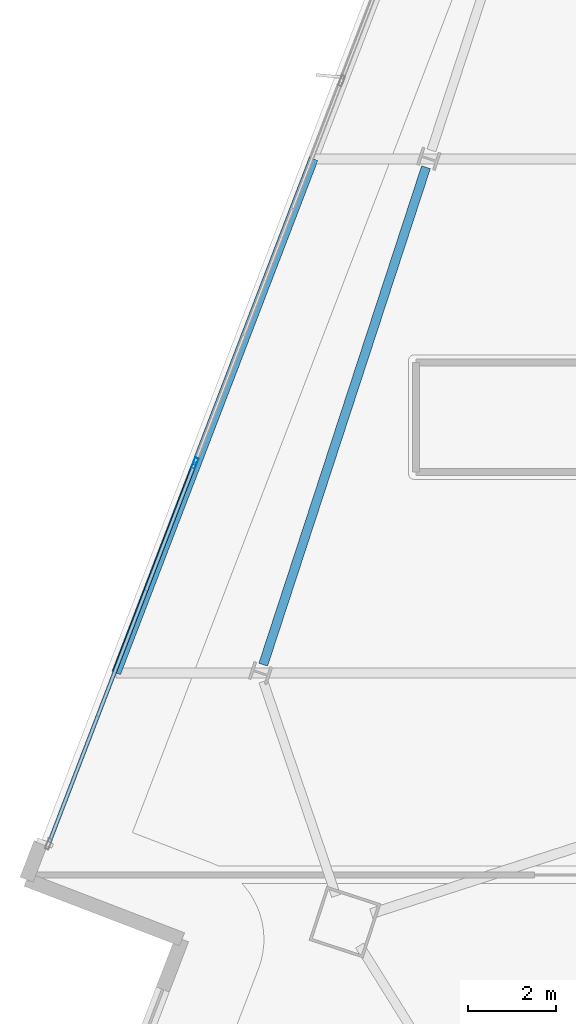
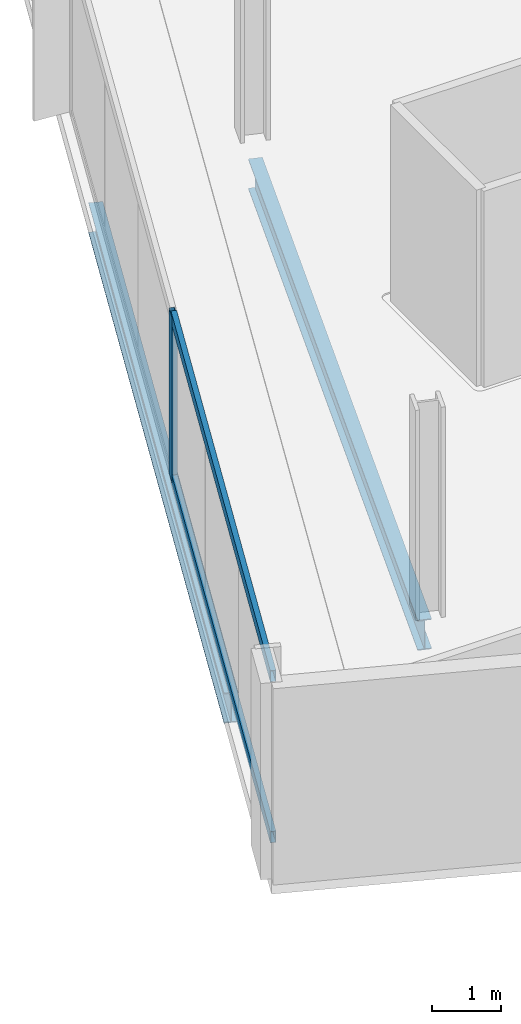
# One storey, part 6 of 27: 3 members, 2 beams, 1 element without a shape of its own.
"""IFC4 building model written with IfcOpenShell, lengths in metres."""

from ifc_helpers import new_model, si_unit, direction, frame, origin, origin_2d, place, context, subcontext, project, spatial, hollow_rectangle, i_section, extrude, material, material_profile, profile_set, type_object, element, aggregate, save


model = new_model("IFC4")

# Units and contexts
model_context = context("Model", 3, precision=1e-05, world=origin(), true_north=direction((0.0, 1.0)))
body_context = subcontext(model_context, "Body", "Model", "MODEL_VIEW")
ifc_project = project(units=[si_unit("LENGTHUNIT", "METRE"), si_unit("AREAUNIT", "SQUARE_METRE"), si_unit("VOLUMEUNIT", "CUBIC_METRE"), si_unit("PLANEANGLEUNIT", "RADIAN"), si_unit("MASSUNIT", "GRAM", prefix="KILO")], contexts=[model_context])

# Site, building, storey
site_placement = place(None, origin())
site = spatial("IfcSite", under=ifc_project, at=site_placement, CompositionType="ELEMENT")
building_placement = place(site_placement, origin())
building = spatial("IfcBuilding", under=site, at=building_placement, Name="Haldenkirk Collegiate Tower", CompositionType="ELEMENT")
storey_placement = place(building_placement, frame((0.0, 0.0, 259.949951171875)))
storey = spatial("IfcBuildingStorey", under=building, at=storey_placement, Name="L65", CompositionType="ELEMENT", Elevation=259.949951171875)

# Beams
ifc_material_1 = material(Name="Steel ASTM A992 Grade 50", Category="steel")
ifc_material_profile_1 = material_profile(ifc_material_1, i_section(OverallWidth=0.2099609375, OverallDepth=0.537109375, WebThickness=0.010986328125, FlangeThickness=0.017333984375, at=origin_2d()), Name="W21X68")
ifc_profile_set_1 = profile_set([ifc_material_profile_1], Name="Steel ASTM A992 Grade 50")
beam_type = type_object("IfcBeamType", Name="BM-SPANDREL-W21X68", PredefinedType="SPANDREL", material=ifc_profile_set_1)
beam_1_placement = place(storey_placement, frame((17.9267578125, 31.701171875, -0.538330078125), z_axis=(-0.311010188249, -0.950406577631, 0.0), x_axis=(0.950406577631, -0.311010188249, 0.0)))
element("IfcBeam", 1, at=beam_1_placement, inside=storey, type_object=beam_type, Name="L65 perimeter spandrel beam 11", PredefinedType="SPANDREL", context=body_context, shape_type="SweptSolid", body=[
    extrude(i_section(OverallWidth=0.2099609375, OverallDepth=0.537109375, WebThickness=0.010986328125, FlangeThickness=0.017333984375, at=origin_2d()), origin(), (0.0, 0.0, 1.0), 11.94287109375),
])
beam_2_placement = place(storey_placement, frame((15.361328125, 31.8935546875, -0.538330078125), z_axis=(-0.358368621561, -0.933580168534, 0.0), x_axis=(0.933580168534, -0.358368621561, 0.0)))
element("IfcBeam", 2, at=beam_2_placement, inside=storey, type_object=beam_type, Name="L65 outer facade edge beam 3B", PredefinedType="SPANDREL", context=body_context, shape_type="SweptSolid", body=[
    extrude(i_section(OverallWidth=0.2099609375, OverallDepth=0.537109375, WebThickness=0.010986328125, FlangeThickness=0.017333984375, at=origin_2d()), origin(), (0.0, 0.0, 1.0), 12.570556640625),
])

# Curtain wall, members
ifc_material_2 = material(Name="Anodised architectural bronze aluminium", Category="aluminium")
curtain_wall_type = type_object("IfcCurtainWallType", Name="CW-SYS1B-CONVEX-HI", PredefinedType="USERDEFINED", material=ifc_material_2)
curtain_wall_placement = place(storey_placement, origin())
curtain_wall = element("IfcCurtainWall", 3, at=curtain_wall_placement, inside=storey, type_object=curtain_wall_type, Name="L65 Upper tower high-wind convex bronze unitised curtain wall", ObjectType="UNITISED CURTAIN WALL", PredefinedType="USERDEFINED")
ifc_material_profile_2 = material_profile(ifc_material_2, hollow_rectangle(XDim=0.0849609375, YDim=0.25, WallThickness=0.0048828125, at=origin_2d()), Name="CW-MUL-1B")
ifc_profile_set_2 = profile_set([ifc_material_profile_2], Name="Anodised architectural bronze aluminium")
member_type_1 = type_object("IfcMemberType", Name="CW-MUL-1B", PredefinedType="MULLION", material=ifc_profile_set_2)
member_1_placement = place(storey_placement, frame((12.65185546875, 24.947265625, 0.0), z_axis=(0.0, 0.0, 1.0), x_axis=(-0.933580053116, 0.358368922235, 0.0)))
member_1 = element("IfcMember", 4, at=member_1_placement, type_object=member_type_1, Name="CW-1B mullion 2", PredefinedType="MULLION", context=body_context, shape_type="SweptSolid", body=[
    extrude(hollow_rectangle(XDim=0.0849609375, YDim=0.25, WallThickness=0.0048828125, at=origin_2d()), origin(), (0.0, 0.0, 1.0), 2.93798828125),
])
ifc_material_profile_3 = material_profile(ifc_material_2, hollow_rectangle(XDim=0.0849609375, YDim=0.199951171875, WallThickness=0.0048828125, at=origin_2d()), Name="CW-TRN-1B")
ifc_profile_set_3 = profile_set([ifc_material_profile_3], Name="Anodised architectural bronze aluminium")
member_type_2 = type_object("IfcMemberType", Name="CW-TRN-1B", PredefinedType="USERDEFINED", material=ifc_profile_set_3)
member_2_placement = place(storey_placement, frame((9.33154296875, 16.297607421875, 0.04248046875), z_axis=(0.358374111529, 0.93357806111, 0.0), x_axis=(-0.93357806111, 0.358374111529, 0.0)))
member_2 = element("IfcMember", 5, at=member_2_placement, type_object=member_type_2, Name="CW-1B transom 1.1", ObjectType="TRANSOM", PredefinedType="USERDEFINED", context=body_context, shape_type="SweptSolid", body=[
    extrude(hollow_rectangle(XDim=0.0849609375, YDim=0.199951171875, WallThickness=0.0048828125, at=origin_2d()), origin(), (0.0, 0.0, 1.0), 9.22265625),
])
member_3_placement = place(storey_placement, frame((9.33154296875, 16.297607421875, 2.8955078125), z_axis=(0.358374111529, 0.93357806111, 0.0), x_axis=(-0.93357806111, 0.358374111529, 0.0)))
member_3 = element("IfcMember", 6, at=member_3_placement, type_object=member_type_2, Name="CW-1B transom 1.2", ObjectType="TRANSOM", PredefinedType="USERDEFINED", context=body_context, shape_type="SweptSolid", body=[
    extrude(hollow_rectangle(XDim=0.0849609375, YDim=0.199951171875, WallThickness=0.0048828125, at=origin_2d()), origin(), (0.0, 0.0, 1.0), 9.22265625),
])
aggregate(curtain_wall, [member_1, member_2, member_3])

save(model, "model.ifc")
